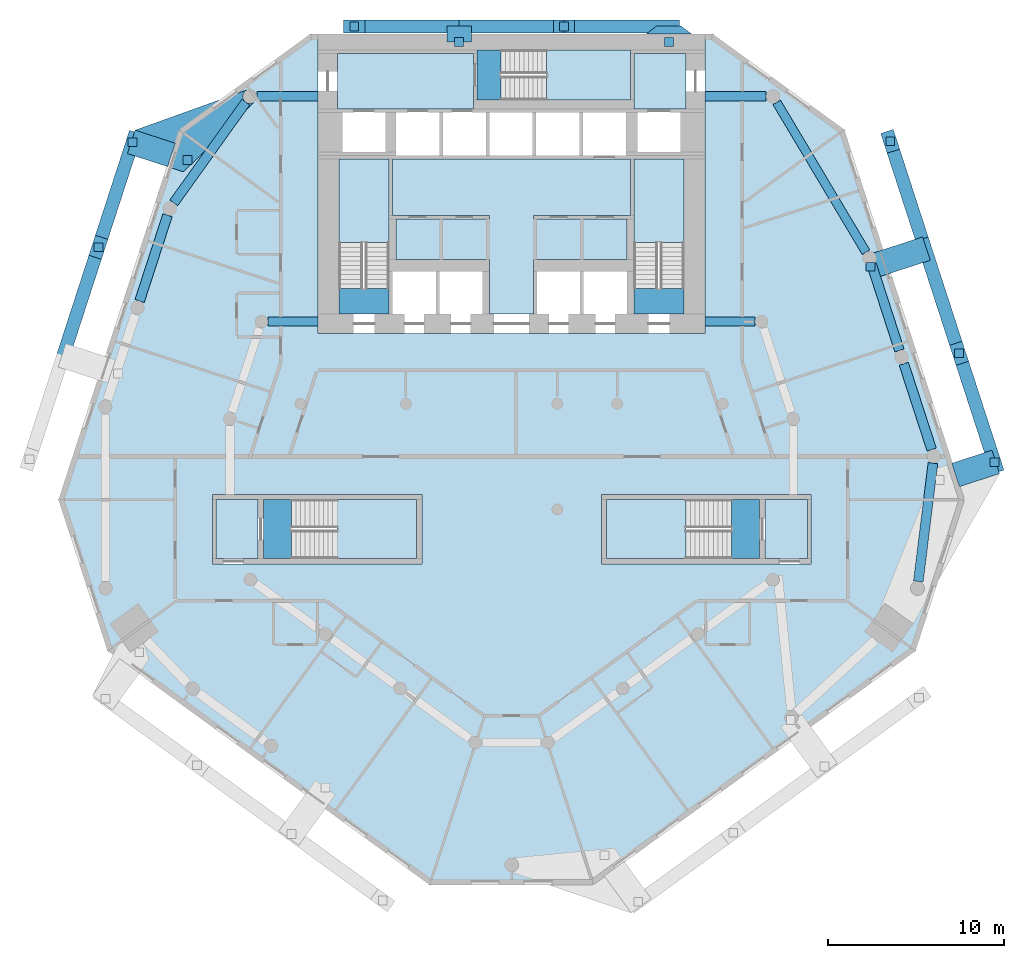
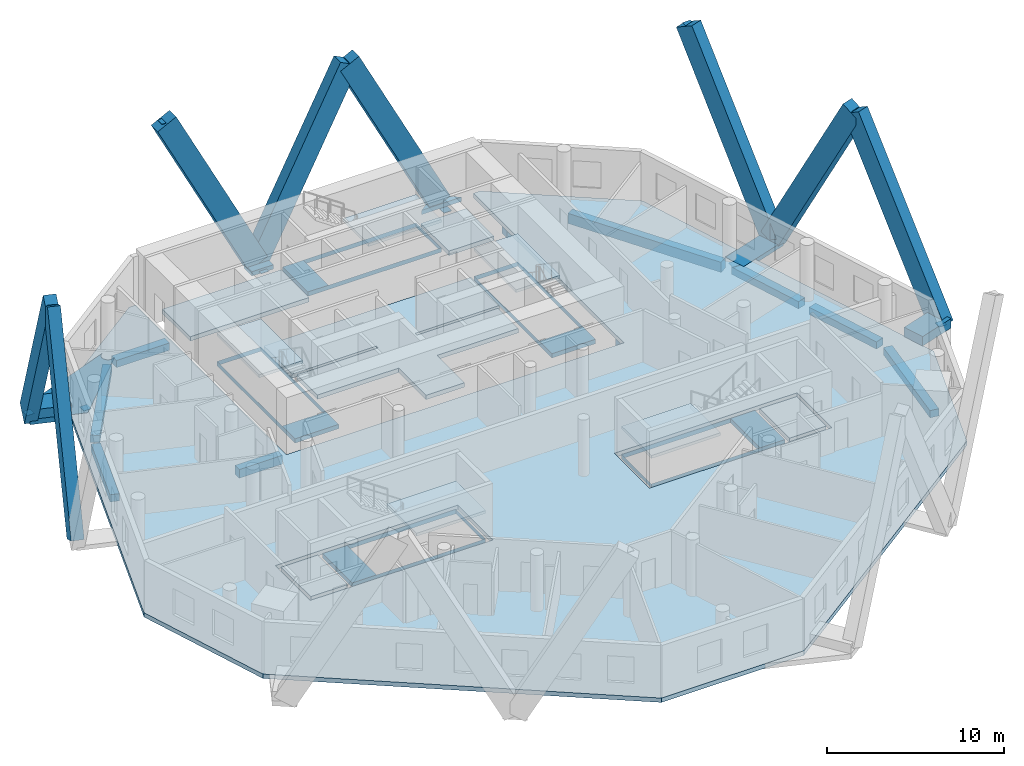
# One storey, part 2 of 10: 16 slabs, 14 members, 11 discrete accessories, 10 beams, 5 elements without a shape of their own.
"""IFC4 building model written with IfcOpenShell, lengths in metres."""

from ifc_helpers import new_model, si_unit, direction, frame, origin, origin_2d, place, context, subcontext, project, spatial, polyline, rectangle, outline, extrude, material, layer, layer_set, material_profile, profile_set, type_object, element, aggregate, save


model = new_model("IFC4")

# Units and contexts
model_context = context("Model", 3, precision=1e-05, world=origin(), true_north=direction((0.0, 1.0)))
body_context = subcontext(model_context, "Body", "Model", "MODEL_VIEW")
ifc_project = project(units=[si_unit("LENGTHUNIT", "METRE"), si_unit("AREAUNIT", "SQUARE_METRE"), si_unit("VOLUMEUNIT", "CUBIC_METRE"), si_unit("PLANEANGLEUNIT", "RADIAN"), si_unit("MASSUNIT", "GRAM", prefix="KILO")], contexts=[model_context])

# Site, building, storey
site_placement = place(None, origin())
site = spatial("IfcSite", under=ifc_project, at=site_placement, CompositionType="ELEMENT")
building_placement = place(site_placement, origin())
building = spatial("IfcBuilding", under=site, at=building_placement, Name="White Candle Pilgrim Tower", CompositionType="ELEMENT")
storey_placement = place(building_placement, frame((0.0, 0.0, 114.199951171875)))
storey = spatial("IfcBuildingStorey", under=building, at=storey_placement, Name="L25", CompositionType="ELEMENT", Elevation=114.199951171875)

# Member
ifc_material_1 = material(Name="Concrete C80/95, white", Category="concrete")
ifc_material_profile_1 = material_profile(ifc_material_1, rectangle(XDim=0.75, YDim=1.35009765625, at=origin_2d()), Name="RC-DG 750x1350")
ifc_profile_set_1 = profile_set([ifc_material_profile_1], Name="Concrete C80/95, white")
member_type_1 = type_object("IfcMemberType", Name="Exoskeleton diagonal RC-DG 750x1350 C80/95", PredefinedType="BRACE", material=ifc_profile_set_1)
member_1_placement = place(storey_placement, frame((78.93701171875, 88.425048828125, 0.0), z_axis=(-0.453783992732, 0.0, 0.891111714624), x_axis=(0.0, -1.0, 0.0)))
member_1 = element("IfcMember", 1, at=member_1_placement, inside=storey, type_object=member_type_1, Name="Exoskeleton diagonal EX067", PredefinedType="BRACE", context=body_context, shape_type="SweptSolid", body=[
    extrude(rectangle(XDim=0.75, YDim=1.35009765625, at=origin_2d()), origin(), (0.0, 0.0, 1.0), 13.129638671875),
])

member_2_placement = place(storey_placement, frame((67.02099609375, 88.425048828125, 0.0), z_axis=(0.453783992732, 0.0, 0.891111714624), x_axis=(0.0, 1.0, 0.0)))
element("IfcMember", 2, at=member_2_placement, inside=storey, type_object=member_type_1, Name="Exoskeleton diagonal EX068", PredefinedType="BRACE", context=body_context, shape_type="SweptSolid", body=[
    extrude(rectangle(XDim=0.75, YDim=1.35009765625, at=origin_2d()), origin(), (0.0, 0.0, 1.0), 13.129638671875),
])

member_3_placement = place(storey_placement, frame((67.02099609375, 88.425048828125, 0.0), z_axis=(-0.453783992732, 0.0, 0.891111714624), x_axis=(0.0, -1.0, 0.0)))
member_3 = element("IfcMember", 3, at=member_3_placement, inside=storey, type_object=member_type_1, Name="Exoskeleton diagonal EX069", PredefinedType="BRACE", context=body_context, shape_type="SweptSolid", body=[
    extrude(rectangle(XDim=0.75, YDim=1.35009765625, at=origin_2d()), origin(), (0.0, 0.0, 1.0), 13.129638671875),
])

member_4_placement = place(storey_placement, frame((97.43701171875, 63.672607421875, 0.0), z_axis=(-0.150263925664, 0.462461345301, 0.873813628153), x_axis=(-0.95105583585, -0.309019088563, 0.0)))
member_4 = element("IfcMember", 4, at=member_4_placement, inside=storey, type_object=member_type_1, Name="Exoskeleton diagonal EX079", PredefinedType="BRACE", context=body_context, shape_type="SweptSolid", body=[
    extrude(rectangle(XDim=0.75, YDim=1.35009765625, at=origin_2d()), origin(), (0.0, 0.0, 1.0), 13.3896484375),
])

member_5_placement = place(storey_placement, frame((93.4990234375, 75.792236328125, 0.0), z_axis=(0.145289637471, -0.4471399554, 0.882585282864), x_axis=(0.951053353867, 0.309026727158, 0.0)))
element("IfcMember", 5, at=member_5_placement, inside=storey, type_object=member_type_1, Name="Exoskeleton diagonal EX080", PredefinedType="BRACE", context=body_context, shape_type="SweptSolid", body=[
    extrude(rectangle(XDim=0.75, YDim=1.35009765625, at=origin_2d()), origin(), (0.0, 0.0, 1.0), 13.25634765625),
])

member_6_placement = place(storey_placement, frame((93.4990234375, 75.792236328125, 0.0), z_axis=(-0.148864739423, 0.458169132906, 0.87631063842), x_axis=(-0.951058612467, -0.309010542947, 0.0)))
member_6 = element("IfcMember", 6, at=member_6_placement, inside=storey, type_object=member_type_1, Name="Exoskeleton diagonal EX081", PredefinedType="BRACE", context=body_context, shape_type="SweptSolid", body=[
    extrude(rectangle(XDim=0.75, YDim=1.35009765625, at=origin_2d()), origin(), (0.0, 0.0, 1.0), 13.351318359375),
])

member_7_placement = place(storey_placement, frame((48.4697265625, 81.85205078125, 0.0), z_axis=(-0.145988483861, -0.449331146094, 0.881356275141), x_axis=(0.951061527242, -0.309001571842, 0.0)))
member_7 = element("IfcMember", 7, at=member_7_placement, inside=storey, type_object=member_type_1, Name="Exoskeleton diagonal EX115", PredefinedType="BRACE", context=body_context, shape_type="SweptSolid", body=[
    extrude(rectangle(XDim=0.75, YDim=1.35009765625, at=origin_2d()), origin(), (0.0, 0.0, 1.0), 13.27490234375),
])

# Members
member_8_placement = place(storey_placement, frame((44.531982421875, 69.732421875, 0.0), z_axis=(0.149565199721, 0.460327027833, 0.875059585673), x_axis=(-0.951059016902, 0.309009298193, 0.0)))
element("IfcMember", 8, at=member_8_placement, inside=storey, type_object=member_type_1, Name="Exoskeleton diagonal EX116", PredefinedType="BRACE", context=body_context, shape_type="SweptSolid", body=[
    extrude(rectangle(XDim=0.75, YDim=1.35009765625, at=origin_2d()), origin(), (0.0, 0.0, 1.0), 13.370361328125),
])
ifc_material_2 = material(Name="Concrete C70/85, white", Category="concrete")
ifc_layer_1 = layer(ifc_material_2, 0.300048828125)
ifc_layer_set_1 = layer_set([ifc_layer_1], Name="Node tie strut 3350x1400x300 C70/85")
member_type_2 = type_object("IfcMemberType", Name="Node tie strut 3350x1400x300 C70/85", PredefinedType="STRUT", material=ifc_layer_set_1)
member_9_placement = place(storey_placement, origin())
element("IfcMember", 9, at=member_9_placement, inside=storey, type_object=member_type_2, Name="Node tie strut NC071", PredefinedType="STRUT", context=body_context, shape_type="SweptSolid", body=[
    extrude(outline(polyline([(95.442138671875, 62.288330078125), (97.724609375, 63.030029296875), (97.2919921875, 64.361572265625), (95.009521484375, 63.619873046875), (95.442138671875, 62.288330078125)])), origin(), (0.0, 0.0, 1.0), 0.650146484375),
])

# Member
member_10_placement = place(storey_placement, frame((91.977294921875, 75.2978515625, -0.2998046875), z_axis=(0.0, 0.0, 1.0), x_axis=(-0.309016994375, 0.951056516295, 0.0)))
member_10 = element("IfcMember", 10, at=member_10_placement, inside=storey, type_object=member_type_2, Name="Node tie strut NC072", PredefinedType="STRUT", context=body_context, shape_type="SweptSolid", body=[
    extrude(rectangle(XDim=1.39990234375, YDim=3.35009765625, at=origin_2d()), origin(), (0.0, 0.0, 1.0), 0.300048828125),
])

member_11_placement = place(storey_placement, frame((0.0, 0.0, -0.349853515625)))
member_11 = element("IfcMember", 11, at=member_11_placement, inside=storey, type_object=member_type_2, Name="Node tie strut NC079", PredefinedType="STRUT", context=body_context, shape_type="SweptSolid", body=[
    extrude(outline(polyline([(51.3681640625, 80.17431640625), (55.4228515625, 84.17724609375), (55.40380859375, 84.1591796875), (55.383544921875, 84.142578125), (55.3623046875, 84.12744140625), (55.340087890625, 84.113525390625), (55.31689453125, 84.101318359375), (55.293212890625, 84.09033203125), (55.2685546875, 84.081298828125), (55.243408203125, 84.073486328125), (55.218017578125, 84.067626953125), (55.192138671875, 84.0634765625), (55.166259765625, 84.060791015625), (55.139892578125, 84.06005859375), (55.11376953125, 84.060791015625), (55.087890625, 84.0634765625), (55.06201171875, 84.067626953125), (55.03662109375, 84.073486328125), (55.011474609375, 84.081298828125), (54.98681640625, 84.09033203125), (54.963134765625, 84.101318359375), (54.93994140625, 84.113525390625), (54.917724609375, 84.12744140625), (54.896484375, 84.142578125), (54.876220703125, 84.1591796875), (54.857177734375, 84.17724609375), (54.83935546875, 84.1962890625), (54.82275390625, 84.216552734375), (54.807373046875, 84.23779296875), (54.793701171875, 84.260009765625), (54.78125, 84.283203125), (54.7705078125, 84.306884765625), (54.76123046875, 84.331298828125), (54.753662109375, 84.3564453125), (54.747802734375, 84.382080078125), (54.743408203125, 84.40771484375), (54.740966796875, 84.433837890625), (54.739990234375, 84.4599609375), (54.740966796875, 84.486083984375), (54.743408203125, 84.51220703125), (54.747802734375, 84.5380859375), (54.753662109375, 84.5634765625), (54.76123046875, 84.588623046875), (54.7705078125, 84.613037109375), (54.78125, 84.636962890625), (54.793701171875, 84.659912109375), (54.807373046875, 84.68212890625), (54.82275390625, 84.70361328125), (54.83935546875, 84.7236328125), (54.857177734375, 84.742919921875), (54.876220703125, 84.7607421875), (54.896484375, 84.77734375), (54.917724609375, 84.79248046875), (54.93994140625, 84.806396484375), (54.963134765625, 84.818603515625), (54.98681640625, 84.82958984375), (55.011474609375, 84.8388671875), (48.61474609375, 82.541015625), (48.18212890625, 81.209716796875), (51.3681640625, 80.17431640625)])), origin(), (0.0, 0.0, 1.0), 0.349853515625),
])

member_12_placement = place(storey_placement, origin())
element("IfcMember", 12, at=member_12_placement, inside=storey, type_object=member_type_2, Name="Node tie strut NC079", PredefinedType="STRUT", context=body_context, shape_type="SweptSolid", body=[
    extrude(outline(polyline([(50.464599609375, 80.468017578125), (50.8974609375, 81.79931640625), (48.61474609375, 82.541015625), (48.18212890625, 81.209716796875), (50.464599609375, 80.468017578125)])), origin(), (0.0, 0.0, 1.0), 0.650146484375),
])

ifc_layer_2 = layer(ifc_material_2, 0.300048828125)
ifc_layer_set_2 = layer_set([ifc_layer_2], Name="Node tie strut 900x1400x300 C70/85")
member_type_3 = type_object("IfcMemberType", Name="Node tie strut 900x1400x300 C70/85", PredefinedType="STRUT", material=ifc_layer_set_2)
member_13_placement = place(storey_placement, frame((0.0, 0.0, -0.300048828125)))
member_13 = element("IfcMember", 13, at=member_13_placement, inside=storey, type_object=member_type_3, Name="Node tie strut NC073", PredefinedType="STRUT", context=body_context, shape_type="SweptSolid", body=[
    extrude(outline(polyline([(77.636962890625, 88.0), (80.237060546875, 88.0), (79.636962890625, 88.449951171875), (78.237060546875, 88.449951171875), (77.636962890625, 88.0)])), origin(), (0.0, 0.0, 1.0), 0.300048828125),
])

member_14_placement = place(storey_placement, frame((67.02099609375, 88.0, -0.2998046875), z_axis=(0.0, 0.0, 1.0), x_axis=(-1.0, 0.0, 0.0)))
member_14 = element("IfcMember", 14, at=member_14_placement, inside=storey, type_object=member_type_3, Name="Node tie strut NC074", PredefinedType="STRUT", context=body_context, shape_type="SweptSolid", body=[
    extrude(rectangle(XDim=1.39990234375, YDim=0.89990234375, at=origin_2d()), origin(), (0.0, 0.0, 1.0), 0.300048828125),
])

# Beams
ifc_material_3 = material(Name="Concrete C50/60", Category="concrete")
ifc_material_profile_2 = material_profile(ifc_material_3, rectangle(XDim=0.5, YDim=0.60009765625, at=origin_2d()), Name="RC-BM 500x600")
ifc_profile_set_2 = profile_set([ifc_material_profile_2], Name="Concrete C50/60")
beam_type_1 = type_object("IfcBeamType", Name="Ring beam RC-BM 500x600 C50/60", PredefinedType="BEAM", material=ifc_profile_set_2)
for number, where, z_axis, x_axis, name in (
    (15, (83.824951171875, 71.669921875, -0.599853515625), (-1.0, 0.0, 0.0), (0.0, -1.0, 0.0), "L25 ring beam R10"),
    (16, (56.175048828125, 71.669921875, -0.599853515625), (1.0, 0.0, 0.0), (0.0, 1.0, 0.0), "L25 ring beam R11"),
):
    element("IfcBeam", number, at=place(storey_placement, frame(where, z_axis=z_axis, x_axis=x_axis)), inside=storey, type_object=beam_type_1, Name=name, PredefinedType="BEAM", context=body_context, shape_type="SweptSolid", body=[
        extrude(rectangle(XDim=0.5, YDim=0.60009765625, at=origin_2d()), origin(), (0.0, 0.0, 1.0), 2.824951171875),
    ])
ifc_material_profile_3 = material_profile(ifc_material_3, rectangle(XDim=0.5, YDim=0.699951171875, at=origin_2d()), Name="RC-BM 500x700")
ifc_profile_set_3 = profile_set([ifc_material_profile_3], Name="Concrete C50/60")
beam_type_2 = type_object("IfcBeamType", Name="Spandrel beam RC-BM 500x700 C50/60", PredefinedType="BEAM", material=ifc_profile_set_3)
beam_1_placement = place(storey_placement, frame((90.13525390625, 75.61328125, -0.64990234375), z_axis=(-0.51215480768, 0.858893155736, 0.0), x_axis=(-0.858893155736, -0.51215480768, 0.0)))
element("IfcBeam", 17, at=beam_1_placement, inside=storey, type_object=beam_type_2, Name="L25 spandrel beam T08", PredefinedType="BEAM", context=body_context, shape_type="SweptSolid", body=[
    extrude(rectangle(XDim=0.5, YDim=0.699951171875, at=origin_2d()), origin(), (0.0, 0.0, 1.0), 9.900390625),
])
ifc_material_profile_4 = material_profile(ifc_material_3, rectangle(XDim=0.550048828125, YDim=0.5, at=origin_2d()), Name="RC-BM 550x500")
ifc_profile_set_4 = profile_set([ifc_material_profile_4], Name="Concrete C50/60")
beam_type_3 = type_object("IfcBeamType", Name="Spandrel beam RC-BM 550x500 C50/60", PredefinedType="BEAM", material=ifc_profile_set_4)
beam_2_placement = place(storey_placement, frame((93.109130859375, 56.906982421875, -0.550048828125), z_axis=(0.122911300598, 0.992417660154, 0.0), x_axis=(-0.992417660154, 0.122911300598, 0.0)))
element("IfcBeam", 18, at=beam_2_placement, inside=storey, type_object=beam_type_3, Name="L25 spandrel beam T05", PredefinedType="BEAM", context=body_context, shape_type="SweptSolid", body=[
    extrude(rectangle(XDim=0.550048828125, YDim=0.5, at=origin_2d()), origin(), (0.0, 0.0, 1.0), 6.767333984375),
])
beam_3_placement = place(storey_placement, frame((93.866455078125, 64.400390625, -0.550048828125), z_axis=(-0.309123808161, 0.95102180376, 0.0), x_axis=(-0.95102180376, -0.309123808161, 0.0)))
element("IfcBeam", 19, at=beam_3_placement, inside=storey, type_object=beam_type_3, Name="L25 spandrel beam T06", PredefinedType="BEAM", context=body_context, shape_type="SweptSolid", body=[
    extrude(rectangle(XDim=0.550048828125, YDim=0.5, at=origin_2d()), origin(), (0.0, 0.0, 1.0), 5.1201171875),
])
beam_4_placement = place(storey_placement, frame((92.036865234375, 70.030517578125, -0.550048828125), z_axis=(-0.308114253226, 0.951349361149, 0.0), x_axis=(-0.951349361149, -0.308114253226, 0.0)))
element("IfcBeam", 20, at=beam_4_placement, inside=storey, type_object=beam_type_3, Name="L25 spandrel beam T07", PredefinedType="BEAM", context=body_context, shape_type="SweptSolid", body=[
    extrude(rectangle(XDim=0.550048828125, YDim=0.5, at=origin_2d()), origin(), (0.0, 0.0, 1.0), 5.107666015625),
])
for number, where, z_axis, x_axis, name in (
    (21, (84.4599609375, 84.4599609375, -0.550048828125), (-1.0, 0.0, 0.0), (0.0, -1.0, 0.0), "L25 spandrel beam T09"),
    (22, (55.5400390625, 84.4599609375, -0.550048828125), (1.0, 0.0, 0.0), (0.0, 1.0, 0.0), "L25 spandrel beam T10"),
):
    element("IfcBeam", number, at=place(storey_placement, frame(where, z_axis=z_axis, x_axis=x_axis)), inside=storey, type_object=beam_type_3, Name=name, PredefinedType="BEAM", context=body_context, shape_type="SweptSolid", body=[
        extrude(rectangle(XDim=0.550048828125, YDim=0.5, at=origin_2d()), origin(), (0.0, 0.0, 1.0), 3.4599609375),
    ])
beam_5_placement = place(storey_placement, frame((54.9072265625, 84.135009765625, -0.550048828125), z_axis=(-0.582065224797, -0.813142099563, 0.0), x_axis=(0.813142099563, -0.582065224797, 0.0)))
element("IfcBeam", 23, at=beam_5_placement, inside=storey, type_object=beam_type_3, Name="L25 spandrel beam T11", PredefinedType="BEAM", context=body_context, shape_type="SweptSolid", body=[
    extrude(rectangle(XDim=0.550048828125, YDim=0.5, at=origin_2d()), origin(), (0.0, 0.0, 1.0), 7.034423828125),
])
beam_6_placement = place(storey_placement, frame((50.456298828125, 77.709716796875, -0.550048828125), z_axis=(-0.309123808161, -0.95102180376, 0.0), x_axis=(0.95102180376, -0.309123808161, 0.0)))
element("IfcBeam", 24, at=beam_6_placement, inside=storey, type_object=beam_type_3, Name="L25 spandrel beam T12", PredefinedType="BEAM", context=body_context, shape_type="SweptSolid", body=[
    extrude(rectangle(XDim=0.550048828125, YDim=0.5, at=origin_2d()), origin(), (0.0, 0.0, 1.0), 5.1201171875),
])

# Slabs
ifc_material_4 = material(Name="Concrete C40/50", Category="concrete")
ifc_layer_3 = layer(ifc_material_4, 0.300048828125)
ifc_layer_set_3 = layer_set([ifc_layer_3], Name="Core floor slab 300 mm Concrete C40/50")
slab_type_1 = type_object("IfcSlabType", Name="Core floor slab 300 mm Concrete C40/50", PredefinedType="FLOOR", material=ifc_layer_set_3)
slab_1_placement = place(storey_placement, frame((0.0, 0.0, -0.300048828125)))
element("IfcSlab", 25, at=slab_1_placement, inside=storey, type_object=slab_type_1, Name="CF-L25-01", PredefinedType="FLOOR", context=body_context, shape_type="SweptSolid", body=[
    extrude(outline(polyline([(55.60009765625, 58.199951171875), (53.199951171875, 58.199951171875), (53.199951171875, 61.550048828125), (55.60009765625, 61.550048828125), (55.60009765625, 58.199951171875)])), origin(), (0.0, 0.0, 1.0), 0.300048828125),
])
slab_2_placement = place(storey_placement, frame((0.0, 0.0, -0.300048828125)))
element("IfcSlab", 26, at=slab_2_placement, inside=storey, type_object=slab_type_1, Name="CF-L25-02", PredefinedType="FLOOR", context=body_context, shape_type="SweptSolid", body=[
    extrude(outline(polyline([(55.89990234375, 58.199951171875), (55.89990234375, 61.550048828125), (64.60009765625, 61.550048828125), (64.60009765625, 58.199951171875), (55.89990234375, 58.199951171875)]), holes=[polyline([(57.501953125, 61.548095703125), (57.501953125, 58.201904296875), (64.597900390625, 58.201904296875), (64.597900390625, 61.548095703125), (57.501953125, 61.548095703125)])]), origin(), (0.0, 0.0, 1.0), 0.300048828125),
])
slab_3_placement = place(storey_placement, frame((0.0, 0.0, -0.300048828125)))
element("IfcSlab", 27, at=slab_3_placement, inside=storey, type_object=slab_type_1, Name="CF-L25-03", PredefinedType="FLOOR", context=body_context, shape_type="SweptSolid", body=[
    extrude(outline(polyline([(75.39990234375, 58.199951171875), (75.39990234375, 61.550048828125), (84.10009765625, 61.550048828125), (84.10009765625, 58.199951171875), (75.39990234375, 58.199951171875)]), holes=[polyline([(82.498046875, 58.201904296875), (82.498046875, 61.548095703125), (75.402099609375, 61.548095703125), (75.402099609375, 58.201904296875), (82.498046875, 58.201904296875)])]), origin(), (0.0, 0.0, 1.0), 0.300048828125),
])
slab_4_placement = place(storey_placement, frame((0.0, 0.0, -0.300048828125)))
element("IfcSlab", 28, at=slab_4_placement, inside=storey, type_object=slab_type_1, Name="CF-L25-04", PredefinedType="FLOOR", context=body_context, shape_type="SweptSolid", body=[
    extrude(outline(polyline([(86.800048828125, 58.199951171875), (84.39990234375, 58.199951171875), (84.39990234375, 61.550048828125), (86.800048828125, 61.550048828125), (86.800048828125, 58.199951171875)])), origin(), (0.0, 0.0, 1.0), 0.300048828125),
])
slab_5_placement = place(storey_placement, frame((0.0, 0.0, -0.300048828125)))
element("IfcSlab", 29, at=slab_5_placement, inside=storey, type_object=slab_type_1, Name="CF-L25-05", PredefinedType="FLOOR", context=body_context, shape_type="SweptSolid", body=[
    extrude(outline(polyline([(76.75, 87.10009765625), (76.75, 86.89990234375), (76.75, 84.25), (68.050048828125, 84.25), (68.050048828125, 86.89990234375), (68.050048828125, 87.10009765625), (76.75, 87.10009765625)]), holes=[polyline([(69.402099609375, 87.097900390625), (69.402099609375, 84.251953125), (76.748046875, 84.251953125), (76.748046875, 87.097900390625), (69.402099609375, 87.097900390625)])]), origin(), (0.0, 0.0, 1.0), 0.300048828125),
])
slab_6_placement = place(storey_placement, frame((0.0, 0.0, -0.300048828125)))
element("IfcSlab", 30, at=slab_6_placement, inside=storey, type_object=slab_type_1, Name="CF-L25-06", PredefinedType="FLOOR", context=body_context, shape_type="SweptSolid", body=[
    extrude(outline(polyline([(79.89990234375, 86.89990234375), (79.89990234375, 83.75), (76.949951171875, 83.75), (76.949951171875, 84.25), (76.949951171875, 86.89990234375), (79.89990234375, 86.89990234375)])), origin(), (0.0, 0.0, 1.0), 0.300048828125),
])
slab_7_placement = place(storey_placement, frame((0.0, 0.0, -0.300048828125)))
element("IfcSlab", 31, at=slab_7_placement, inside=storey, type_object=slab_type_1, Name="CF-L25-07", PredefinedType="FLOOR", context=body_context, shape_type="SweptSolid", body=[
    extrude(outline(polyline([(76.949951171875, 72.10009765625), (76.949951171875, 74.5), (76.949951171875, 75.199951171875), (76.949951171875, 77.5), (76.949951171875, 77.699951171875), (76.949951171875, 80.89990234375), (79.800048828125, 80.89990234375), (79.800048828125, 72.10009765625), (76.949951171875, 72.10009765625)]), holes=[polyline([(76.951904296875, 73.552001953125), (79.798095703125, 73.552001953125), (79.798095703125, 80.89794921875), (76.951904296875, 80.89794921875), (76.951904296875, 73.552001953125)])]), origin(), (0.0, 0.0, 1.0), 0.300048828125),
])
slab_8_placement = place(storey_placement, frame((0.0, 0.0, -0.300048828125)))
element("IfcSlab", 32, at=slab_8_placement, inside=storey, type_object=slab_type_1, Name="CF-L25-08", PredefinedType="FLOOR", context=body_context, shape_type="SweptSolid", body=[
    extrude(outline(polyline([(68.75, 72.10009765625), (68.75, 74.5), (68.75, 75.199951171875), (63.449951171875, 75.199951171875), (63.449951171875, 77.5), (68.75, 77.5), (68.75, 77.699951171875), (63.25, 77.699951171875), (63.25, 80.89990234375), (76.75, 80.89990234375), (76.75, 77.699951171875), (71.25, 77.699951171875), (71.25, 77.5), (76.550048828125, 77.5), (76.550048828125, 75.199951171875), (71.25, 75.199951171875), (71.25, 74.5), (71.25, 72.10009765625), (68.75, 72.10009765625)])), origin(), (0.0, 0.0, 1.0), 0.300048828125),
])
slab_9_placement = place(storey_placement, frame((0.0, 0.0, -0.300048828125)))
element("IfcSlab", 33, at=slab_9_placement, inside=storey, type_object=slab_type_1, Name="CF-L25-09", PredefinedType="FLOOR", context=body_context, shape_type="SweptSolid", body=[
    extrude(outline(polyline([(60.199951171875, 72.10009765625), (60.199951171875, 80.89990234375), (63.050048828125, 80.89990234375), (63.050048828125, 77.699951171875), (63.050048828125, 77.5), (63.050048828125, 75.199951171875), (63.050048828125, 74.5), (63.050048828125, 72.10009765625), (60.199951171875, 72.10009765625)]), holes=[polyline([(60.201904296875, 73.552001953125), (63.048095703125, 73.552001953125), (63.048095703125, 80.89794921875), (60.201904296875, 80.89794921875), (60.201904296875, 73.552001953125)])]), origin(), (0.0, 0.0, 1.0), 0.300048828125),
])
slab_10_placement = place(storey_placement, frame((0.0, 0.0, -0.300048828125)))
element("IfcSlab", 34, at=slab_10_placement, inside=storey, type_object=slab_type_1, Name="CF-L25-10", PredefinedType="FLOOR", context=body_context, shape_type="SweptSolid", body=[
    extrude(outline(polyline([(60.10009765625, 86.89990234375), (67.85009765625, 86.89990234375), (67.85009765625, 84.25), (67.85009765625, 83.75), (60.10009765625, 83.75), (60.10009765625, 86.89990234375)])), origin(), (0.0, 0.0, 1.0), 0.300048828125),
])
ifc_layer_4 = layer(ifc_material_4, 0.300048828125)
ifc_layer_set_4 = layer_set([ifc_layer_4], Name="Floor slab 300 REI 120")
slab_type_2 = type_object("IfcSlabType", Name="Floor slab 300 REI 120", PredefinedType="FLOOR", material=ifc_layer_set_4)
slab_11_placement = place(storey_placement, frame((0.0, 0.0, -0.300048828125)))
element("IfcSlab", 35, at=slab_11_placement, inside=storey, type_object=slab_type_2, Name="L25 floor slab", PredefinedType="FLOOR", context=body_context, shape_type="SweptSolid", body=[
    extrude(outline(polyline([(65.348388671875, 39.666015625), (74.651611328125, 39.666015625), (92.94775390625, 52.958984375), (95.73681640625, 61.54296875), (88.903076171875, 82.57568359375), (81.43701171875, 88.0), (81.0, 88.0), (81.0, 71.0), (59.0, 71.0), (59.0, 88.0), (58.56298828125, 88.0), (51.096923828125, 82.57568359375), (44.26318359375, 61.54296875), (47.05224609375, 52.958984375), (65.348388671875, 39.666015625)]), holes=[polyline([(53.0, 57.89990234375), (53.0, 61.85009765625), (64.89990234375, 61.85009765625), (64.89990234375, 57.89990234375), (53.0, 57.89990234375)]), polyline([(75.10009765625, 57.89990234375), (75.10009765625, 61.85009765625), (87.0, 61.85009765625), (87.0, 57.89990234375), (75.10009765625, 57.89990234375)])]), origin(), (0.0, 0.0, 1.0), 0.300048828125),
])

# Stair, slab
stair_type_1 = type_object("IfcStairType", Name="Exit stair 1 flight width 1350 mm", PredefinedType="HALF_TURN_STAIR", material=ifc_material_4)
stair_1_placement = place(storey_placement, origin())
stair_1 = element("IfcStair", 36, at=stair_1_placement, inside=storey, type_object=stair_type_1, Name="L25 stair 1", PredefinedType="NOTDEFINED")
ifc_layer_5 = layer(ifc_material_4, 0.199951171875)
ifc_layer_set_5 = layer_set([ifc_layer_5], Name="Stair landing Concrete C40/50")
slab_type_3 = type_object("IfcSlabType", Name="Stair landing Concrete C40/50", PredefinedType="LANDING", material=ifc_layer_set_5)
slab_12_placement = place(storey_placement, frame((0.0, 0.0, 1.75)))
slab_12 = element("IfcSlab", 37, at=slab_12_placement, type_object=slab_type_3, Name="ST1 landing 1", PredefinedType="LANDING", context=body_context, shape_type="SweptSolid", body=[
    extrude(outline(polyline([(63.052001953125, 76.14794921875), (60.197998046875, 76.14794921875), (60.197998046875, 80.902099609375), (63.052001953125, 80.902099609375), (63.052001953125, 76.14794921875)])), origin(), (0.0, 0.0, 1.0), 0.199951171875),
])
aggregate(stair_1, [slab_12])

stair_type_2 = type_object("IfcStairType", Name="Exit stair 2 flight width 1350 mm", PredefinedType="HALF_TURN_STAIR", material=ifc_material_4)
stair_2_placement = place(storey_placement, origin())
stair_2 = element("IfcStair", 38, at=stair_2_placement, inside=storey, type_object=stair_type_2, Name="L25 stair 2", PredefinedType="NOTDEFINED")
slab_13_placement = place(storey_placement, frame((0.0, 0.0, 1.75)))
slab_13 = element("IfcSlab", 39, at=slab_13_placement, type_object=slab_type_3, Name="ST2 landing 1", PredefinedType="LANDING", context=body_context, shape_type="SweptSolid", body=[
    extrude(outline(polyline([(79.802001953125, 76.14794921875), (76.947998046875, 76.14794921875), (76.947998046875, 80.902099609375), (79.802001953125, 80.902099609375), (79.802001953125, 76.14794921875)])), origin(), (0.0, 0.0, 1.0), 0.199951171875),
])
aggregate(stair_2, [slab_13])

stair_type_3 = type_object("IfcStairType", Name="Exit stair 3 flight width 1350 mm", PredefinedType="HALF_TURN_STAIR", material=ifc_material_4)
stair_3_placement = place(storey_placement, origin())
stair_3 = element("IfcStair", 40, at=stair_3_placement, inside=storey, type_object=stair_type_3, Name="L25 stair 3", PredefinedType="NOTDEFINED")
slab_14_placement = place(storey_placement, frame((0.0, 0.0, 1.75)))
slab_14 = element("IfcSlab", 41, at=slab_14_placement, type_object=slab_type_3, Name="ST3 landing 1", PredefinedType="LANDING", context=body_context, shape_type="SweptSolid", body=[
    extrude(outline(polyline([(71.998046875, 84.248046875), (71.998046875, 87.10205078125), (76.751953125, 87.10205078125), (76.751953125, 84.248046875), (71.998046875, 84.248046875)])), origin(), (0.0, 0.0, 1.0), 0.199951171875),
])
aggregate(stair_3, [slab_14])

stair_type_4 = type_object("IfcStairType", Name="Exit stair 4 flight width 1600 mm", PredefinedType="HALF_TURN_STAIR", material=ifc_material_4)
stair_4_placement = place(storey_placement, origin())
stair_4 = element("IfcStair", 42, at=stair_4_placement, inside=storey, type_object=stair_type_4, Name="L25 stair 4", PredefinedType="NOTDEFINED")
slab_15_placement = place(storey_placement, frame((0.0, 0.0, 1.75)))
slab_15 = element("IfcSlab", 43, at=slab_15_placement, type_object=slab_type_3, Name="ST4 landing 1", PredefinedType="LANDING", context=body_context, shape_type="SweptSolid", body=[
    extrude(outline(polyline([(79.902099609375, 61.552001953125), (79.902099609375, 58.197998046875), (75.39794921875, 58.197998046875), (75.39794921875, 61.552001953125), (79.902099609375, 61.552001953125)])), origin(), (0.0, 0.0, 1.0), 0.199951171875),
])
aggregate(stair_4, [slab_15])

stair_type_5 = type_object("IfcStairType", Name="Exit stair 5 flight width 1600 mm", PredefinedType="HALF_TURN_STAIR", material=ifc_material_4)
stair_5_placement = place(storey_placement, origin())
stair_5 = element("IfcStair", 44, at=stair_5_placement, inside=storey, type_object=stair_type_5, Name="L25 stair 5", PredefinedType="NOTDEFINED")
slab_16_placement = place(storey_placement, frame((0.0, 0.0, 1.75)))
slab_16 = element("IfcSlab", 45, at=slab_16_placement, type_object=slab_type_3, Name="ST5 landing 1", PredefinedType="LANDING", context=body_context, shape_type="SweptSolid", body=[
    extrude(outline(polyline([(60.097900390625, 58.197998046875), (60.097900390625, 61.552001953125), (64.60205078125, 61.552001953125), (64.60205078125, 58.197998046875), (60.097900390625, 58.197998046875)])), origin(), (0.0, 0.0, 1.0), 0.199951171875),
])
aggregate(stair_5, [slab_16])

# Discrete accessory
ifc_material_5 = material(Name="Steel S355", Category="steel")
ifc_layer_6 = layer(ifc_material_5, 0.02490234375)
ifc_layer_set_6 = layer_set([ifc_layer_6], Name="Gusset plate 500x500x25 S355")
discrete_accessory_type = type_object("IfcDiscreteAccessoryType", Name="Gusset plate 500x500x25 S355", PredefinedType="BRACKET", material=ifc_layer_set_6)
placement = place(building_placement, frame((0.0, 0.0, 125.89990234375)))
discrete_accessory_1_placement = place(placement, frame((72.97900390625, 88.425048828125, -0.012451171875), z_axis=(0.0, 0.0, 1.0), x_axis=(1.0, 0.0, 0.0)))
discrete_accessory_1 = element("IfcDiscreteAccessory", 46, at=discrete_accessory_1_placement, type_object=discrete_accessory_type, Name="Gusset plate 0075", PredefinedType="BRACKET", context=body_context, shape_type="SweptSolid", body=[
    extrude(rectangle(XDim=0.5, YDim=0.5, at=origin_2d()), origin(), (0.0, 0.0, 1.0), 0.02490234375),
])

aggregate(member_1, [discrete_accessory_1])

discrete_accessory_2_placement = place(placement, frame((61.06298828125, 88.425048828125, -0.012451171875), z_axis=(0.0, 0.0, 1.0), x_axis=(1.0, 0.0, 0.0)))
discrete_accessory_2 = element("IfcDiscreteAccessory", 47, at=discrete_accessory_2_placement, type_object=discrete_accessory_type, Name="Gusset plate 0076", PredefinedType="BRACKET", context=body_context, shape_type="SweptSolid", body=[
    extrude(rectangle(XDim=0.5, YDim=0.5, at=origin_2d()), origin(), (0.0, 0.0, 1.0), 0.02490234375),
])

aggregate(member_3, [discrete_accessory_2])

discrete_accessory_3_placement = place(storey_placement, frame((97.43701171875, 63.672607421875, -0.012451171875), z_axis=(0.0, 0.0, 1.0), x_axis=(1.0, 0.0, 0.0)))
discrete_accessory_3 = element("IfcDiscreteAccessory", 48, at=discrete_accessory_3_placement, type_object=discrete_accessory_type, Name="Gusset plate 0085", PredefinedType="BRACKET", context=body_context, shape_type="SweptSolid", body=[
    extrude(rectangle(XDim=0.5, YDim=0.5, at=origin_2d()), origin(), (0.0, 0.0, 1.0), 0.02490234375),
])

discrete_accessory_4_placement = place(placement, frame((95.425048828125, 69.86474609375, -0.012451171875), z_axis=(0.0, 0.0, 1.0), x_axis=(1.0, 0.0, 0.0)))
discrete_accessory_4 = element("IfcDiscreteAccessory", 49, at=discrete_accessory_4_placement, type_object=discrete_accessory_type, Name="Gusset plate 0086", PredefinedType="BRACKET", context=body_context, shape_type="SweptSolid", body=[
    extrude(rectangle(XDim=0.5, YDim=0.5, at=origin_2d()), origin(), (0.0, 0.0, 1.0), 0.02490234375),
])

aggregate(member_4, [discrete_accessory_3, discrete_accessory_4])

discrete_accessory_5_placement = place(placement, frame((91.511474609375, 81.909423828125, -0.012451171875), z_axis=(0.0, 0.0, 1.0), x_axis=(1.0, 0.0, 0.0)))
discrete_accessory_5 = element("IfcDiscreteAccessory", 50, at=discrete_accessory_5_placement, type_object=discrete_accessory_type, Name="Gusset plate 0087", PredefinedType="BRACKET", context=body_context, shape_type="SweptSolid", body=[
    extrude(rectangle(XDim=0.5, YDim=0.5, at=origin_2d()), origin(), (0.0, 0.0, 1.0), 0.02490234375),
])

aggregate(member_6, [discrete_accessory_5])

discrete_accessory_6_placement = place(storey_placement, frame((48.4697265625, 81.85205078125, -0.012451171875), z_axis=(0.0, 0.0, 1.0), x_axis=(1.0, 0.0, 0.0)))
discrete_accessory_6 = element("IfcDiscreteAccessory", 51, at=discrete_accessory_6_placement, type_object=discrete_accessory_type, Name="Gusset plate 0129", PredefinedType="BRACKET", context=body_context, shape_type="SweptSolid", body=[
    extrude(rectangle(XDim=0.5, YDim=0.5, at=origin_2d()), origin(), (0.0, 0.0, 1.0), 0.02490234375),
])

discrete_accessory_7_placement = place(placement, frame((46.53173828125, 75.88720703125, -0.012451171875), z_axis=(0.0, 0.0, 1.0), x_axis=(1.0, 0.0, 0.0)))
discrete_accessory_7 = element("IfcDiscreteAccessory", 52, at=discrete_accessory_7_placement, type_object=discrete_accessory_type, Name="Gusset plate 0130", PredefinedType="BRACKET", context=body_context, shape_type="SweptSolid", body=[
    extrude(rectangle(XDim=0.5, YDim=0.5, at=origin_2d()), origin(), (0.0, 0.0, 1.0), 0.02490234375),
])

aggregate(member_7, [discrete_accessory_6, discrete_accessory_7])

discrete_accessory_8_placement = place(storey_placement, frame((90.384521484375, 74.7802734375, -0.162353515625), z_axis=(0.0, 0.0, 1.0), x_axis=(1.0, 0.0, 0.0)))
discrete_accessory_8 = element("IfcDiscreteAccessory", 53, at=discrete_accessory_8_placement, type_object=discrete_accessory_type, Name="Gusset plate 0453", PredefinedType="BRACKET", context=body_context, shape_type="SweptSolid", body=[
    extrude(rectangle(XDim=0.5, YDim=0.5, at=origin_2d()), origin(), (0.0, 0.0, 1.0), 0.02490234375),
])

aggregate(member_10, [discrete_accessory_8])

discrete_accessory_9_placement = place(storey_placement, frame((78.93701171875, 87.550048828125, -0.162353515625), z_axis=(0.0, 0.0, 1.0), x_axis=(1.0, 0.0, 0.0)))
discrete_accessory_9 = element("IfcDiscreteAccessory", 54, at=discrete_accessory_9_placement, type_object=discrete_accessory_type, Name="Gusset plate 0454", PredefinedType="BRACKET", context=body_context, shape_type="SweptSolid", body=[
    extrude(rectangle(XDim=0.5, YDim=0.5, at=origin_2d()), origin(), (0.0, 0.0, 1.0), 0.02490234375),
])

aggregate(member_13, [discrete_accessory_9])

discrete_accessory_10_placement = place(storey_placement, frame((67.02099609375, 87.550048828125, -0.162353515625), z_axis=(0.0, 0.0, 1.0), x_axis=(1.0, 0.0, 0.0)))
discrete_accessory_10 = element("IfcDiscreteAccessory", 55, at=discrete_accessory_10_placement, type_object=discrete_accessory_type, Name="Gusset plate 0455", PredefinedType="BRACKET", context=body_context, shape_type="SweptSolid", body=[
    extrude(rectangle(XDim=0.5, YDim=0.5, at=origin_2d()), origin(), (0.0, 0.0, 1.0), 0.02490234375),
])

aggregate(member_14, [discrete_accessory_10])

discrete_accessory_11_placement = place(storey_placement, frame((51.58447265625, 80.840087890625, -0.162353515625), z_axis=(0.0, 0.0, 1.0), x_axis=(1.0, 0.0, 0.0)))
discrete_accessory_11 = element("IfcDiscreteAccessory", 56, at=discrete_accessory_11_placement, type_object=discrete_accessory_type, Name="Gusset plate 0460", PredefinedType="BRACKET", context=body_context, shape_type="SweptSolid", body=[
    extrude(rectangle(XDim=0.5, YDim=0.5, at=origin_2d()), origin(), (0.0, 0.0, 1.0), 0.02490234375),
])

aggregate(member_11, [discrete_accessory_11])

save(model, "model.ifc")
